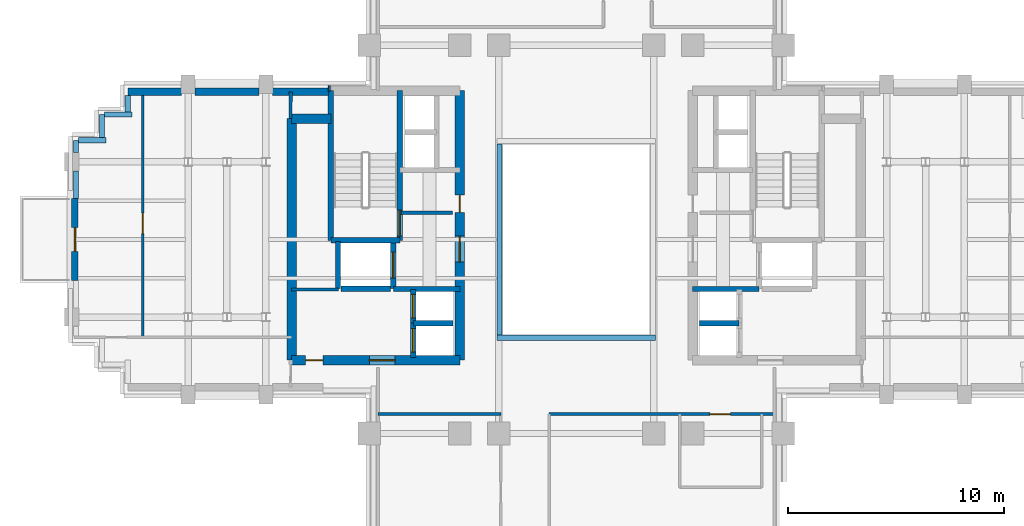
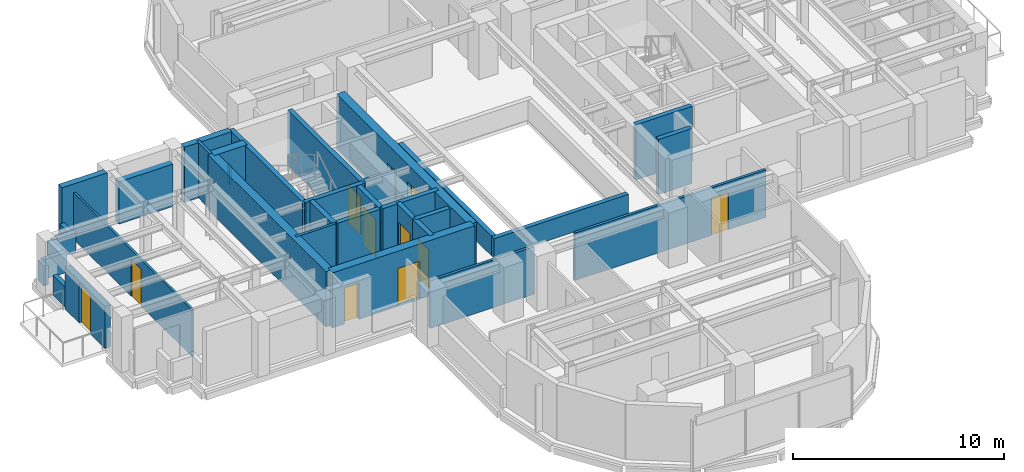
# One storey, part 7 of 13: 35 walls, 11 doors, 11 openings.
"""IFC4 building model written with IfcOpenShell, lengths in metres."""

from ifc_helpers import new_model, si_unit, direction, frame, frame_2d, origin, place, context, subcontext, project, spatial, rectangle, extrude, source, transform, mapped, material, layer, layer_set, type_object, element, fill, save


model = new_model("IFC4")

# Units and contexts
model_context = context("Model", 3, precision=1e-05, world=origin(), true_north=direction((0.0, 1.0)))
body_context = subcontext(model_context, "Body", "Model", "MODEL_VIEW")
ifc_project = project(units=[si_unit("LENGTHUNIT", "METRE"), si_unit("AREAUNIT", "SQUARE_METRE"), si_unit("VOLUMEUNIT", "CUBIC_METRE"), si_unit("PLANEANGLEUNIT", "RADIAN"), si_unit("MASSUNIT", "GRAM", prefix="KILO")], contexts=[model_context])

# Site, building, storey
site_placement = place(None, origin())
site = spatial("IfcSite", under=ifc_project, at=site_placement, CompositionType="ELEMENT")
building_placement = place(site_placement, origin())
building = spatial("IfcBuilding", under=site, at=building_placement, Name="Keilestroom Media Tower", CompositionType="ELEMENT")
storey_placement = place(building_placement, frame((0.0, 0.0, 107.39990234375)))
storey = spatial("IfcBuildingStorey", under=building, at=storey_placement, Name="L28", CompositionType="ELEMENT", Elevation=107.39990234375)

# Wall, opening, door
ifc_material_1 = material(Name="Precast concrete C40/50", Category="concrete")
ifc_layer_1 = layer(ifc_material_1, 0.300048828125)
ifc_layer_set_1 = layer_set([ifc_layer_1], Name="Precast concrete C40/50")
wall_type_1 = type_object("IfcWallType", Name="Exterior-Masonry-Spandrel-Wall-300", PredefinedType="SOLIDWALL", material=ifc_layer_set_1)
wall_1_placement = place(storey_placement, frame((-23.25, -1.89990234375, 0.0), z_axis=(0.0, 0.0, 1.0), x_axis=(0.0, 1.0, 0.0)))
wall_1 = element("IfcWall", 1, at=wall_1_placement, inside=storey, type_object=wall_type_1, Name="L28 Terrace Threshold Wall L28-W", PredefinedType="SOLIDWALL", context=body_context, shape_type="SweptSolid", body=[
    extrude(rectangle(XDim=3.7998046875, YDim=0.300048828125, at=frame_2d((1.89990234375, 0.0))), origin(), (0.0, 0.0, 1.0), 2.4501953125),
])
opening_1_placement = place(wall_1_placement, frame((1.35009765625, 0.0, 0.0)))
opening_1 = element("IfcOpeningElement", 2, at=opening_1_placement, cuts=wall_1, Name="Opening DE-02", PredefinedType="OPENING", context=body_context, shape_type="SweptSolid", body=[
    extrude(rectangle(XDim=1.10009765625, YDim=2.300048828125, at=frame_2d((0.550048828125, 1.14990234375))), frame((0.0, 0.16015625, 0.0), z_axis=(0.0, -1.0, 0.0), x_axis=(1.0, 0.0, 0.0)), (0.0, 0.0, 1.0), 0.320068359375),
])
ifc_material_2 = material(Name="Thermally Broken Aluminium & Laminated Glass", Category="aluminium")
door_type_1 = type_object("IfcDoorType", Name="Exterior-Entrance-And-Terrace-Door-DE-02", OperationType="NOTDEFINED", PredefinedType="DOOR", material=ifc_material_2)
shared_shape_1 = source(origin(), body_context, "Body", "SweptSolid", [
    extrude(rectangle(XDim=1.10009765625, YDim=2.300048828125, at=frame_2d((0.550048828125, 1.14990234375))), frame((0.0, 0.02490234375, 0.0), z_axis=(0.0, -1.0, 0.0), x_axis=(1.0, 0.0, 0.0)), (0.0, 0.0, 1.0), 0.050048828125),
])
door_1_placement = place(opening_1_placement, origin())
door_1 = element("IfcDoor", 3, at=door_1_placement, inside=storey, type_object=door_type_1, Name="L28 Terrace Access Door DE-02 L28-W", OperationType="SINGLE_SWING_LEFT", OverallHeight=2.300048828125, OverallWidth=1.10009765625, PredefinedType="DOOR", context=body_context, shape_type="MappedRepresentation", body=[
    mapped(shared_shape_1, transform((0.0, 0.0, 0.0), x_axis=(1.0, 0.0, 0.0), y_axis=(0.0, 1.0, 0.0), z_axis=(0.0, 0.0, 1.0), scale=1.0)),
])
fill(opening_1, door_1)

# Walls
ifc_layer_2 = layer(ifc_material_1, 0.340087890625)
ifc_layer_set_2 = layer_set([ifc_layer_2], Name="Precast concrete C40/50")
wall_type_2 = type_object("IfcWallType", Name="Exterior-Masonry-Spandrel-Wall-340", PredefinedType="SOLIDWALL", material=ifc_layer_set_2)
wall_2_placement = place(storey_placement, frame((-20.800048828125, 6.85009765625, 0.0), z_axis=(0.0, 0.0, 1.0), x_axis=(1.0, 0.0, 0.0)))
element("IfcWall", 4, at=wall_2_placement, inside=storey, type_object=wall_type_2, Name="L28 Flank Masonry Wall EWL-L28-NW-1", PredefinedType="SOLIDWALL", context=body_context, shape_type="SweptSolid", body=[
    extrude(rectangle(XDim=2.483154296875, YDim=0.340087890625, at=frame_2d((1.24169921875, 0.0))), origin(), (0.0, 0.0, 1.0), 3.2001953125),
])
wall_3_placement = place(storey_placement, frame((-17.68310546875, 6.85009765625, 0.0), z_axis=(0.0, 0.0, 1.0), x_axis=(1.0, 0.0, 0.0)))
element("IfcWall", 5, at=wall_3_placement, inside=storey, type_object=wall_type_2, Name="L28 Flank Masonry Wall EWL-L28-NW-2", PredefinedType="SOLIDWALL", context=body_context, shape_type="SweptSolid", body=[
    extrude(rectangle(XDim=2.966064453125, YDim=0.340087890625, at=frame_2d((1.48291015625, 0.0))), origin(), (0.0, 0.0, 1.0), 2.4501953125),
])
wall_4_placement = place(storey_placement, frame((-14.0830078125, 6.85009765625, 0.0), z_axis=(0.0, 0.0, 1.0), x_axis=(1.0, 0.0, 0.0)))
element("IfcWall", 6, at=wall_4_placement, inside=storey, type_object=wall_type_2, Name="L28 Flank Masonry Wall EWL-L28-NW-3", PredefinedType="SOLIDWALL", context=body_context, shape_type="SweptSolid", body=[
    extrude(rectangle(XDim=2.5849609375, YDim=0.340087890625, at=frame_2d((1.29248046875, 0.0))), origin(), (0.0, 0.0, 1.0), 3.2001953125),
])

# Wall, opening, door
ifc_material_3 = material(Name="Gypsum Plasterboard & Steel Stud", Category="steel")
ifc_layer_3 = layer(ifc_material_3, 0.1201171875)
ifc_layer_set_3 = layer_set([ifc_layer_3], Name="Gypsum Plasterboard & Steel Stud")
wall_type_3 = type_object("IfcWallType", Name="Interior-Partition-Wall-120", PredefinedType="PARTITIONING", material=ifc_layer_set_3)
wall_5_placement = place(storey_placement, frame((-20.10009765625, -4.530029296875, 0.0), z_axis=(0.0, 0.0, 1.0), x_axis=(0.0, 1.0, 0.0)))
wall_5 = element("IfcWall", 7, at=wall_5_placement, inside=storey, type_object=wall_type_3, Name="L28 Interior Wall WP-L28-WA-VM", PredefinedType="PARTITIONING", context=body_context, shape_type="SweptSolid", body=[
    extrude(rectangle(XDim=11.380126953125, YDim=0.1201171875, at=frame_2d((5.68994140625, 0.0))), origin(), (0.0, 0.0, 1.0), 2.7001953125),
])
opening_2_placement = place(wall_5_placement, frame((4.800048828125, 0.0, 0.0)))
opening_2 = element("IfcOpeningElement", 8, at=opening_2_placement, cuts=wall_5, Name="Opening DI-03", PredefinedType="OPENING", context=body_context, shape_type="SweptSolid", body=[
    extrude(rectangle(XDim=0.949951171875, YDim=2.14990234375, at=frame_2d((0.47509765625, 1.074951171875))), frame((0.0, 0.070068359375, 0.0), z_axis=(0.0, -1.0, 0.0), x_axis=(1.0, 0.0, 0.0)), (0.0, 0.0, 1.0), 0.14013671875),
])
ifc_material_4 = material(Name="Lacquered European Oak Leaf", Category="wood")
door_type_2 = type_object("IfcDoorType", Name="Interior-Room-And-Suite-Door-DI-03", OperationType="NOTDEFINED", PredefinedType="DOOR", material=ifc_material_4)
shared_shape_2 = source(origin(), body_context, "Body", "SweptSolid", [
    extrude(rectangle(XDim=0.949951171875, YDim=2.14990234375, at=frame_2d((0.47509765625, 1.074951171875))), frame((0.0, 0.02490234375, 0.0), z_axis=(0.0, -1.0, 0.0), x_axis=(1.0, 0.0, 0.0)), (0.0, 0.0, 1.0), 0.050048828125),
])
door_2_placement = place(opening_2_placement, origin())
door_2 = element("IfcDoor", 9, at=door_2_placement, inside=storey, type_object=door_type_2, Name="L28 Interior Door DI-L28-DWA-RN2", OperationType="SINGLE_SWING_RIGHT", OverallHeight=2.14990234375, OverallWidth=0.949951171875, PredefinedType="DOOR", context=body_context, shape_type="MappedRepresentation", body=[
    mapped(shared_shape_2, transform((0.0, 0.0, 0.0), x_axis=(1.0, 0.0, 0.0), y_axis=(0.0, 1.0, 0.0), z_axis=(0.0, 0.0, 1.0), scale=1.0)),
])
fill(opening_2, door_2)

# Walls
ifc_layer_4 = layer(ifc_material_3, 0.14990234375)
ifc_layer_set_4 = layer_set([ifc_layer_4], Name="Gypsum Plasterboard & Steel Stud")
wall_type_4 = type_object("IfcWallType", Name="Interior-Partition-Wall-150", PredefinedType="PARTITIONING", material=ifc_layer_set_4)
wall_6_placement = place(storey_placement, frame((-8.139892578125, 1.239990234375, 0.0), z_axis=(0.0, 0.0, 1.0), x_axis=(1.0, 0.0, 0.0)))
element("IfcWall", 10, at=wall_6_placement, inside=storey, type_object=wall_type_4, Name="L28 Interior Wall WP-L28-FFW-TOP", PredefinedType="PARTITIONING", context=body_context, shape_type="SweptSolid", body=[
    extrude(rectangle(XDim=2.389892578125, YDim=0.14990234375, at=frame_2d((1.19482421875, 0.0))), origin(), (0.0, 0.0, 1.0), 2.300048828125),
])
wall_7_placement = place(storey_placement, frame((-13.199951171875, -2.320068359375, 0.0), z_axis=(0.0, 0.0, 1.0), x_axis=(1.0, 0.0, 0.0)))
element("IfcWall", 11, at=wall_7_placement, inside=storey, type_object=wall_type_4, Name="L28 Interior Wall WP-L28-RECLW-N", PredefinedType="PARTITIONING", context=body_context, shape_type="SweptSolid", body=[
    extrude(rectangle(XDim=2.179931640625, YDim=0.14990234375, at=frame_2d((1.08984375, 0.0))), origin(), (0.0, 0.0, 1.0), 3.2001953125),
])
wall_8_placement = place(storey_placement, frame((-9.199951171875, -8.10009765625, 0.0), z_axis=(0.0, 0.0, 1.0), x_axis=(1.0, 0.0, 0.0)))
element("IfcWall", 12, at=wall_8_placement, inside=storey, type_object=wall_type_4, Name="L28 Interior Wall WP-L28-SL-BASE-W", PredefinedType="PARTITIONING", context=body_context, shape_type="SweptSolid", body=[
    extrude(rectangle(XDim=5.699951171875, YDim=0.14990234375, at=frame_2d((2.85009765625, 0.0))), origin(), (0.0, 0.0, 1.0), 2.75),
])

# Wall, opening, door
wall_9_placement = place(storey_placement, frame((-1.260009765625, -8.10009765625, 0.0), z_axis=(0.0, 0.0, 1.0), x_axis=(1.0, 0.0, 0.0)))
wall_9 = element("IfcWall", 13, at=wall_9_placement, inside=storey, type_object=wall_type_4, Name="L28 Interior Wall WP-L28-SL-BASE-E", PredefinedType="PARTITIONING", context=body_context, shape_type="SweptSolid", body=[
    extrude(rectangle(XDim=10.4599609375, YDim=0.14990234375, at=frame_2d((5.22998046875, 0.0))), origin(), (0.0, 0.0, 1.0), 2.75),
])
opening_3_placement = place(wall_9_placement, frame((7.4599609375, 0.0, 0.0)))
opening_3 = element("IfcOpeningElement", 14, at=opening_3_placement, cuts=wall_9, Name="Opening DI-03", PredefinedType="OPENING", context=body_context, shape_type="SweptSolid", body=[
    extrude(rectangle(XDim=0.949951171875, YDim=2.14990234375, at=frame_2d((0.47509765625, 1.074951171875))), frame((0.0, 0.0849609375, 0.0), z_axis=(0.0, -1.0, 0.0), x_axis=(1.0, 0.0, 0.0)), (0.0, 0.0, 1.0), 0.169921875),
])
door_3_placement = place(opening_3_placement, origin())
door_3 = element("IfcDoor", 15, at=door_3_placement, inside=storey, type_object=door_type_2, Name="L28 Interior Door DI-L28-DSL-WC", OperationType="SINGLE_SWING_RIGHT", OverallHeight=2.14990234375, OverallWidth=0.949951171875, PredefinedType="DOOR", context=body_context, shape_type="MappedRepresentation", body=[
    mapped(shared_shape_2, transform((0.0, 0.0, 0.0), x_axis=(1.0, 0.0, 0.0), y_axis=(0.0, 1.0, 0.0), z_axis=(0.0, 0.0, 1.0), scale=1.0)),
])
fill(opening_3, door_3)

# Walls
wall_10_placement = place(storey_placement, frame((-13.260009765625, 5.60009765625, 0.0), z_axis=(0.0, 0.0, 1.0), x_axis=(0.016013571389, 0.999871774545, 0.0)))
element("IfcWall", 16, at=wall_10_placement, inside=storey, type_object=wall_type_4, Name="L28 Interior Wall WP-L28-WA-ENTN", PredefinedType="PARTITIONING", context=body_context, shape_type="SweptSolid", body=[
    extrude(rectangle(XDim=1.250244140625, YDim=0.14990234375, at=frame_2d((0.625, 0.0))), origin(), (0.0, 0.0, 1.0), 3.2001953125),
])
ifc_material_5 = material(Name="Concrete C55/67", Category="concrete")
ifc_layer_5 = layer(ifc_material_5, 0.449951171875)
ifc_layer_set_5 = layer_set([ifc_layer_5], Name="Concrete C55/67")
wall_type_5 = type_object("IfcWallType", Name="Reinforced-Concrete-Core-Shear-Wall-450", PredefinedType="SHEAR", material=ifc_layer_set_5)
wall_11_placement = place(storey_placement, frame((-13.199951171875, -5.60009765625, 0.0), z_axis=(0.0, 0.0, 1.0), x_axis=(0.0, 1.0, 0.0)))
element("IfcWall", 17, at=wall_11_placement, inside=storey, type_object=wall_type_5, Name="L28 Core Shear Wall WL-L28-CORE-W-OUT", PredefinedType="SHEAR", context=body_context, shape_type="SweptSolid", body=[
    extrude(rectangle(XDim=11.2001953125, YDim=0.449951171875, at=frame_2d((5.60009765625, 0.0))), origin(), (0.0, 0.0, 1.0), 3.2001953125),
])

# Wall, openings, doors
wall_12_placement = place(storey_placement, frame((-5.39990234375, -5.60009765625, 0.0), z_axis=(0.0, 0.0, 1.0), x_axis=(0.0, 1.0, 0.0)))
wall_12 = element("IfcWall", 18, at=wall_12_placement, inside=storey, type_object=wall_type_5, Name="L28 Core Shear Wall WL-L28-CORE-W-IN", PredefinedType="SHEAR", context=body_context, shape_type="SweptSolid", body=[
    extrude(rectangle(XDim=12.5, YDim=0.449951171875, at=frame_2d((6.25, 0.0))), origin(), (0.0, 0.0, 1.0), 3.2001953125),
])
opening_4_placement = place(wall_12_placement, frame((4.550048828125, 0.0, 0.0)))
opening_4 = element("IfcOpeningElement", 19, at=opening_4_placement, cuts=wall_12, Name="Opening DI-02", PredefinedType="OPENING", context=body_context, shape_type="SweptSolid", body=[
    extrude(rectangle(XDim=1.199951171875, YDim=2.199951171875, at=frame_2d((0.60009765625, 1.10009765625))), frame((0.0, 0.23486328125, 0.0), z_axis=(0.0, -1.0, 0.0), x_axis=(1.0, 0.0, 0.0)), (0.0, 0.0, 1.0), 0.469970703125),
])
opening_5_placement = place(wall_12_placement, frame((6.860107421875, 0.0, 0.0)))
opening_5 = element("IfcOpeningElement", 20, at=opening_5_placement, cuts=wall_12, Name="Opening DI-06", PredefinedType="OPENING", context=body_context, shape_type="SweptSolid", body=[
    extrude(rectangle(XDim=0.800048828125, YDim=2.10009765625, at=frame_2d((0.39990234375, 1.050048828125))), frame((0.0, 0.23486328125, 0.0), z_axis=(0.0, -1.0, 0.0), x_axis=(1.0, 0.0, 0.0)), (0.0, 0.0, 1.0), 0.469970703125),
])
ifc_material_6 = material(Name="Powder-Coated Steel Fire Leaf", Category="steel")
door_type_3 = type_object("IfcDoorType", Name="Interior-Compartment-Fire-Door-DI-02", OperationType="NOTDEFINED", PredefinedType="DOOR", material=ifc_material_6)
shared_shape_3 = source(origin(), body_context, "Body", "SweptSolid", [
    extrude(rectangle(XDim=1.199951171875, YDim=2.199951171875, at=frame_2d((0.60009765625, 1.10009765625))), frame((0.0, 0.02490234375, 0.0), z_axis=(0.0, -1.0, 0.0), x_axis=(1.0, 0.0, 0.0)), (0.0, 0.0, 1.0), 0.050048828125),
])
door_4_placement = place(opening_4_placement, origin())
door_4 = element("IfcDoor", 21, at=door_4_placement, inside=storey, type_object=door_type_3, Name="L28 W Firefighting Lobby Door", OperationType="SINGLE_SWING_RIGHT", OverallHeight=2.199951171875, OverallWidth=1.199951171875, PredefinedType="DOOR", context=body_context, shape_type="MappedRepresentation", body=[
    mapped(shared_shape_3, transform((0.0, 0.0, 0.0), x_axis=(1.0, 0.0, 0.0), y_axis=(0.0, 1.0, 0.0), z_axis=(0.0, 0.0, 1.0), scale=1.0)),
])
fill(opening_4, door_4)
ifc_material_7 = material(Name="Powder-Coated Steel Service Leaf", Category="steel")
door_type_4 = type_object("IfcDoorType", Name="Interior-Riser-Access-Door-DI-06", OperationType="NOTDEFINED", PredefinedType="DOOR", material=ifc_material_7)
shared_shape_4 = source(origin(), body_context, "Body", "SweptSolid", [
    extrude(rectangle(XDim=0.800048828125, YDim=2.10009765625, at=frame_2d((0.39990234375, 1.050048828125))), frame((0.0, 0.02490234375, 0.0), z_axis=(0.0, -1.0, 0.0), x_axis=(1.0, 0.0, 0.0)), (0.0, 0.0, 1.0), 0.050048828125),
])
door_5_placement = place(opening_5_placement, origin())
door_5 = element("IfcDoor", 22, at=door_5_placement, inside=storey, type_object=door_type_4, Name="L28 West Core Switchroom Door", OperationType="SINGLE_SWING_LEFT", OverallHeight=2.10009765625, OverallWidth=0.800048828125, PredefinedType="DOOR", context=body_context, shape_type="MappedRepresentation", body=[
    mapped(shared_shape_4, transform((0.0, 0.0, 0.0), x_axis=(1.0, 0.0, 0.0), y_axis=(0.0, 1.0, 0.0), z_axis=(0.0, 0.0, 1.0), scale=1.0)),
])
fill(opening_5, door_5)

# Wall
wall_13_placement = place(storey_placement, frame((-13.199951171875, 5.60009765625, 0.0), z_axis=(0.0, 0.0, 1.0), x_axis=(1.0, 0.0, 0.0)))
element("IfcWall", 23, at=wall_13_placement, inside=storey, type_object=wall_type_5, Name="L28 Core Shear Wall WL-L28-CNW-N", PredefinedType="SHEAR", context=body_context, shape_type="SweptSolid", body=[
    extrude(rectangle(XDim=1.81884765625, YDim=0.449951171875, at=frame_2d((0.909423828125, 0.0))), origin(), (0.0, 0.0, 1.0), 3.2001953125),
])

# Wall, openings, doors
wall_14_placement = place(storey_placement, frame((-13.199951171875, -5.60009765625, 0.0), z_axis=(0.0, 0.0, 1.0), x_axis=(1.0, 0.0, 0.0)))
wall_14 = element("IfcWall", 24, at=wall_14_placement, inside=storey, type_object=wall_type_5, Name="L28 Core Shear Wall WL-L28-CORE-W-S", PredefinedType="SHEAR", context=body_context, shape_type="SweptSolid", body=[
    extrude(rectangle(XDim=7.800048828125, YDim=0.449951171875, at=frame_2d((3.89990234375, 0.0))), origin(), (0.0, 0.0, 1.0), 3.2001953125),
])
opening_6_placement = place(wall_14_placement, frame((3.60009765625, 0.0, 0.0)))
opening_6 = element("IfcOpeningElement", 25, at=opening_6_placement, cuts=wall_14, Name="Opening DI-02", PredefinedType="OPENING", context=body_context, shape_type="SweptSolid", body=[
    extrude(rectangle(XDim=1.199951171875, YDim=2.199951171875, at=frame_2d((0.60009765625, 1.10009765625))), frame((0.0, 0.23486328125, 0.0), z_axis=(0.0, -1.0, 0.0), x_axis=(1.0, 0.0, 0.0)), (0.0, 0.0, 1.0), 0.469970703125),
])
opening_7_placement = place(wall_14_placement, frame((0.64990234375, 0.0, 0.0)))
opening_7 = element("IfcOpeningElement", 26, at=opening_7_placement, cuts=wall_14, Name="Opening DI-06", PredefinedType="OPENING", context=body_context, shape_type="SweptSolid", body=[
    extrude(rectangle(XDim=0.800048828125, YDim=2.10009765625, at=frame_2d((0.39990234375, 1.050048828125))), frame((0.0, 0.23486328125, 0.0), z_axis=(0.0, -1.0, 0.0), x_axis=(1.0, 0.0, 0.0)), (0.0, 0.0, 1.0), 0.469970703125),
])
door_6_placement = place(opening_6_placement, origin())
door_6 = element("IfcDoor", 27, at=door_6_placement, inside=storey, type_object=door_type_3, Name="L28 W Passenger Lift Lobby Door", OperationType="SINGLE_SWING_LEFT", OverallHeight=2.199951171875, OverallWidth=1.199951171875, PredefinedType="DOOR", context=body_context, shape_type="MappedRepresentation", body=[
    mapped(shared_shape_3, transform((0.0, 0.0, 0.0), x_axis=(1.0, 0.0, 0.0), y_axis=(0.0, 1.0, 0.0), z_axis=(0.0, 0.0, 1.0), scale=1.0)),
])
fill(opening_6, door_6)
door_7_placement = place(opening_7_placement, origin())
door_7 = element("IfcDoor", 28, at=door_7_placement, inside=storey, type_object=door_type_4, Name="L28 Reclaimed West Core Room Door", OperationType="SINGLE_SWING_LEFT", OverallHeight=2.10009765625, OverallWidth=0.800048828125, PredefinedType="DOOR", context=body_context, shape_type="MappedRepresentation", body=[
    mapped(shared_shape_4, transform((0.0, 0.0, 0.0), x_axis=(1.0, 0.0, 0.0), y_axis=(0.0, 1.0, 0.0), z_axis=(0.0, 0.0, 1.0), scale=1.0)),
])
fill(opening_7, door_7)

# Wall
ifc_material_8 = material(Name="Concrete C50/60", Category="concrete")
ifc_layer_6 = layer(ifc_material_8, 0.25)
ifc_layer_set_6 = layer_set([ifc_layer_6], Name="Concrete C50/60")
wall_type_6 = type_object("IfcWallType", Name="Reinforced-Concrete-Shaft-Wall-250", PredefinedType="SOLIDWALL", material=ifc_layer_set_6)
wall_15_placement = place(storey_placement, frame((-8.47998046875, -2.300048828125, 0.0), z_axis=(0.0, 0.0, 1.0), x_axis=(1.0, 0.0, 0.0)))
element("IfcWall", 29, at=wall_15_placement, inside=storey, type_object=wall_type_6, Name="L28 Core Shear Wall WL-L28-CORE-W-FFS", PredefinedType="SOLIDWALL", context=body_context, shape_type="SweptSolid", body=[
    extrude(rectangle(XDim=3.080078125, YDim=0.25, at=frame_2d((1.5400390625, 0.0))), origin(), (0.0, 0.0, 1.0), 3.2001953125),
])

# Wall, opening, door
wall_16_placement = place(storey_placement, frame((-8.178955078125, -0.041015625, 0.0), z_axis=(0.0, 0.0, 1.0), x_axis=(0.0, 1.0, 0.0)))
wall_16 = element("IfcWall", 30, at=wall_16_placement, inside=storey, type_object=wall_type_6, Name="L28 Core Shear Wall WL-L28-STW-W-NEAR", PredefinedType="SOLIDWALL", context=body_context, shape_type="SweptSolid", body=[
    extrude(rectangle(XDim=6.94091796875, YDim=0.25, at=frame_2d((3.470458984375, 0.0))), origin(), (0.0, 0.0, 1.0), 3.2001953125),
])
opening_8_placement = place(wall_16_placement, frame((0.199951171875, 0.0, 0.0)))
opening_8 = element("IfcOpeningElement", 31, at=opening_8_placement, cuts=wall_16, Name="Opening DI-01S", PredefinedType="OPENING", context=body_context, shape_type="SweptSolid", body=[
    extrude(rectangle(XDim=1.199951171875, YDim=2.199951171875, at=frame_2d((0.60009765625, 1.10009765625))), frame((0.0, 0.135009765625, 0.0), z_axis=(0.0, -1.0, 0.0), x_axis=(1.0, 0.0, 0.0)), (0.0, 0.0, 1.0), 0.27001953125),
])
door_type_5 = type_object("IfcDoorType", Name="Interior-Stair-And-Core-Fire-Door-DI-01", OperationType="NOTDEFINED", PredefinedType="DOOR", material=ifc_material_6)
door_8_placement = place(opening_8_placement, origin())
door_8 = element("IfcDoor", 32, at=door_8_placement, inside=storey, type_object=door_type_5, Name="L28 Escape Stair ST-1 Fire Door", OperationType="SINGLE_SWING_LEFT", OverallHeight=2.199951171875, OverallWidth=1.199951171875, PredefinedType="DOOR", context=body_context, shape_type="MappedRepresentation", body=[
    mapped(shared_shape_3, transform((0.0, 0.0, 0.0), x_axis=(1.0, 0.0, 0.0), y_axis=(0.0, 1.0, 0.0), z_axis=(0.0, 0.0, 1.0), scale=1.0)),
])
fill(opening_8, door_8)

# Walls
wall_17_placement = place(storey_placement, frame((-11.381103515625, -0.041015625, 0.0), z_axis=(0.0, 0.0, 1.0), x_axis=(0.0, 1.0, 0.0)))
element("IfcWall", 33, at=wall_17_placement, inside=storey, type_object=wall_type_6, Name="L28 Core Shear Wall WL-L28-STW-W-FAR", PredefinedType="SOLIDWALL", context=body_context, shape_type="SweptSolid", body=[
    extrude(rectangle(XDim=6.94091796875, YDim=0.25, at=frame_2d((3.470458984375, 0.0))), origin(), (0.0, 0.0, 1.0), 3.2001953125),
])
wall_18_placement = place(storey_placement, frame((-11.381103515625, -0.041015625, 0.0), z_axis=(0.0, 0.0, 1.0), x_axis=(1.0, 0.0, 0.0)))
element("IfcWall", 34, at=wall_18_placement, inside=storey, type_object=wall_type_6, Name="L28 Core Shear Wall WL-L28-STW-W-S", PredefinedType="SOLIDWALL", context=body_context, shape_type="SweptSolid", body=[
    extrude(rectangle(XDim=3.2021484375, YDim=0.25, at=frame_2d((1.60107421875, 0.0))), origin(), (0.0, 0.0, 1.0), 3.2001953125),
])
wall_19_placement = place(storey_placement, frame((5.39990234375, -2.300048828125, 0.0), z_axis=(0.0, 0.0, 1.0), x_axis=(1.0, 0.0, 0.0)))
element("IfcWall", 35, at=wall_19_placement, inside=storey, type_object=wall_type_6, Name="L28 Core Shear Wall WL-L28-CORE-E-FFS", PredefinedType="SOLIDWALL", context=body_context, shape_type="SweptSolid", body=[
    extrude(rectangle(XDim=3.080078125, YDim=0.25, at=frame_2d((1.5400390625, 0.0))), origin(), (0.0, 0.0, 1.0), 3.2001953125),
])
wall_20_placement = place(storey_placement, frame((-11.050048828125, -2.280029296875, 0.0), z_axis=(0.0, 0.0, 1.0), x_axis=(0.0, 1.0, 0.0)))
element("IfcWall", 36, at=wall_20_placement, inside=storey, type_object=wall_type_6, Name="L28 Core Shear Wall WL-L28-LSH-FFL-1-W", PredefinedType="SOLIDWALL", context=body_context, shape_type="SweptSolid", body=[
    extrude(rectangle(XDim=2.179931640625, YDim=0.25, at=frame_2d((1.08984375, 0.0))), origin(), (0.0, 0.0, 1.0), 3.2001953125),
])

# Wall, opening, door
wall_21_placement = place(storey_placement, frame((-8.47998046875, -2.280029296875, 0.0), z_axis=(0.0, 0.0, 1.0), x_axis=(0.0, 1.0, 0.0)))
wall_21 = element("IfcWall", 37, at=wall_21_placement, inside=storey, type_object=wall_type_6, Name="L28 Core Shear Wall WL-L28-LSH-FFL-1-E", PredefinedType="SOLIDWALL", context=body_context, shape_type="SweptSolid", body=[
    extrude(rectangle(XDim=2.179931640625, YDim=0.25, at=frame_2d((1.08984375, 0.0))), origin(), (0.0, 0.0, 1.0), 3.2001953125),
])
opening_9_placement = place(wall_21_placement, frame((0.489990234375, 0.0, 0.0)))
opening_9 = element("IfcOpeningElement", 38, at=opening_9_placement, cuts=wall_21, Name="Opening LD-02", PredefinedType="OPENING", context=body_context, shape_type="SweptSolid", body=[
    extrude(rectangle(XDim=1.199951171875, YDim=2.199951171875, at=frame_2d((0.60009765625, 1.10009765625))), frame((0.0, 0.135009765625, 0.0), z_axis=(0.0, -1.0, 0.0), x_axis=(1.0, 0.0, 0.0)), (0.0, 0.0, 1.0), 0.27001953125),
])
ifc_material_9 = material(Name="Brushed Stainless Steel Sliding Leaf", Category="steel")
door_type_6 = type_object("IfcDoorType", Name="Lift-Landing-Sliding-Door-LD-02", OperationType="SLIDING_TO_RIGHT", PredefinedType="DOOR", material=ifc_material_9)
door_9_placement = place(opening_9_placement, origin())
door_9 = element("IfcDoor", 39, at=door_9_placement, inside=storey, type_object=door_type_6, Name="L28 Lift FFL-1 Landing Sliding Door", OperationType="SLIDING_TO_RIGHT", OverallHeight=2.199951171875, OverallWidth=1.199951171875, PredefinedType="DOOR", context=body_context, shape_type="MappedRepresentation", body=[
    mapped(shared_shape_3, transform((0.0, 0.0, 0.0), x_axis=(1.0, 0.0, 0.0), y_axis=(0.0, 1.0, 0.0), z_axis=(0.0, 0.0, 1.0), scale=1.0)),
])
fill(opening_9, door_9)

# Wall
wall_22_placement = place(storey_placement, frame((-10.9208984375, -2.280029296875, 0.0), z_axis=(0.0, 0.0, 1.0), x_axis=(1.0, 0.0, 0.0)))
element("IfcWall", 40, at=wall_22_placement, inside=storey, type_object=wall_type_6, Name="L28 Core Shear Wall WL-L28-LSH-FFL-1-S", PredefinedType="SOLIDWALL", context=body_context, shape_type="SweptSolid", body=[
    extrude(rectangle(XDim=2.31201171875, YDim=0.25, at=frame_2d((1.156005859375, 0.0))), origin(), (0.0, 0.0, 1.0), 3.2001953125),
])

# Wall, opening, door
wall_23_placement = place(storey_placement, frame((-7.56005859375, -5.47998046875, 0.0), z_axis=(0.0, 0.0, 1.0), x_axis=(0.0, 1.0, 0.0)))
wall_23 = element("IfcWall", 41, at=wall_23_placement, inside=storey, type_object=wall_type_6, Name="L28 Core Shear Wall WL-L28-LSH-PL-M1-W", PredefinedType="SOLIDWALL", context=body_context, shape_type="SweptSolid", body=[
    extrude(rectangle(XDim=1.60009765625, YDim=0.25, at=frame_2d((0.800048828125, 0.0))), origin(), (0.0, 0.0, 1.0), 3.2001953125),
])
opening_10_placement = place(wall_23_placement, frame((0.25, 0.0, 0.0)))
opening_10 = element("IfcOpeningElement", 42, at=opening_10_placement, cuts=wall_23, Name="Opening LD-01", PredefinedType="OPENING", context=body_context, shape_type="SweptSolid", body=[
    extrude(rectangle(XDim=1.10009765625, YDim=2.199951171875, at=frame_2d((0.550048828125, 1.10009765625))), frame((0.0, 0.135009765625, 0.0), z_axis=(0.0, -1.0, 0.0), x_axis=(1.0, 0.0, 0.0)), (0.0, 0.0, 1.0), 0.27001953125),
])
door_type_7 = type_object("IfcDoorType", Name="Lift-Landing-Sliding-Door-LD-01", OperationType="SLIDING_TO_LEFT", PredefinedType="DOOR", material=ifc_material_9)
shared_shape_5 = source(origin(), body_context, "Body", "SweptSolid", [
    extrude(rectangle(XDim=1.10009765625, YDim=2.199951171875, at=frame_2d((0.550048828125, 1.10009765625))), frame((0.0, 0.02490234375, 0.0), z_axis=(0.0, -1.0, 0.0), x_axis=(1.0, 0.0, 0.0)), (0.0, 0.0, 1.0), 0.050048828125),
])
door_10_placement = place(opening_10_placement, origin())
door_10 = element("IfcDoor", 43, at=door_10_placement, inside=storey, type_object=door_type_7, Name="L28 Lift PL-M1 Landing Sliding Door", OperationType="SLIDING_TO_LEFT", OverallHeight=2.199951171875, OverallWidth=1.10009765625, PredefinedType="DOOR", context=body_context, shape_type="MappedRepresentation", body=[
    mapped(shared_shape_5, transform((0.0, 0.0, 0.0), x_axis=(1.0, 0.0, 0.0), y_axis=(0.0, 1.0, 0.0), z_axis=(0.0, 0.0, 1.0), scale=1.0)),
])
fill(opening_10, door_10)

# Wall
wall_24_placement = place(storey_placement, frame((-7.56005859375, -3.8798828125, 0.0), z_axis=(0.0, 0.0, 1.0), x_axis=(1.0, 0.0, 0.0)))
element("IfcWall", 44, at=wall_24_placement, inside=storey, type_object=wall_type_6, Name="L28 Core Shear Wall WL-L28-LSH-PL-M1-N", PredefinedType="SOLIDWALL", context=body_context, shape_type="SweptSolid", body=[
    extrude(rectangle(XDim=1.840087890625, YDim=0.25, at=frame_2d((0.919921875, 0.0))), origin(), (0.0, 0.0, 1.0), 3.2001953125),
])

# Wall, opening, door
wall_25_placement = place(storey_placement, frame((-7.56005859375, -3.8798828125, 0.0), z_axis=(0.0, 0.0, 1.0), x_axis=(0.0, 1.0, 0.0)))
wall_25 = element("IfcWall", 45, at=wall_25_placement, inside=storey, type_object=wall_type_6, Name="L28 Core Shear Wall WL-L28-LSH-PL-M2-W", PredefinedType="SOLIDWALL", context=body_context, shape_type="SweptSolid", body=[
    extrude(rectangle(XDim=1.559814453125, YDim=0.25, at=frame_2d((0.77978515625, 0.0))), origin(), (0.0, 0.0, 1.0), 3.2001953125),
])
opening_11_placement = place(wall_25_placement, frame((0.22998046875, 0.0, 0.0)))
opening_11 = element("IfcOpeningElement", 46, at=opening_11_placement, cuts=wall_25, Name="Opening LD-01", PredefinedType="OPENING", context=body_context, shape_type="SweptSolid", body=[
    extrude(rectangle(XDim=1.10009765625, YDim=2.199951171875, at=frame_2d((0.550048828125, 1.10009765625))), frame((0.0, 0.135009765625, 0.0), z_axis=(0.0, -1.0, 0.0), x_axis=(1.0, 0.0, 0.0)), (0.0, 0.0, 1.0), 0.27001953125),
])
door_11_placement = place(opening_11_placement, origin())
door_11 = element("IfcDoor", 47, at=door_11_placement, inside=storey, type_object=door_type_7, Name="L28 Lift PL-M2 Landing Sliding Door", OperationType="SLIDING_TO_LEFT", OverallHeight=2.199951171875, OverallWidth=1.10009765625, PredefinedType="DOOR", context=body_context, shape_type="MappedRepresentation", body=[
    mapped(shared_shape_5, transform((0.0, 0.0, 0.0), x_axis=(1.0, 0.0, 0.0), y_axis=(0.0, 1.0, 0.0), z_axis=(0.0, 0.0, 1.0), scale=1.0)),
])
fill(opening_11, door_11)

# Walls
wall_26_placement = place(storey_placement, frame((5.719970703125, -3.8798828125, 0.0), z_axis=(0.0, 0.0, 1.0), x_axis=(1.0, 0.0, 0.0)))
element("IfcWall", 48, at=wall_26_placement, inside=storey, type_object=wall_type_6, Name="L28 Core Shear Wall WL-L28-LSH-PL-M3-N", PredefinedType="SOLIDWALL", context=body_context, shape_type="SweptSolid", body=[
    extrude(rectangle(XDim=1.840087890625, YDim=0.25, at=frame_2d((0.919921875, 0.0))), origin(), (0.0, 0.0, 1.0), 3.2001953125),
])
ifc_layer_7 = layer(ifc_material_1, 0.239990234375)
ifc_layer_set_7 = layer_set([ifc_layer_7], Name="Precast concrete C40/50")
wall_type_7 = type_object("IfcWallType", Name="Roof-And-Terrace-Parapet-Wall-240", PredefinedType="PARAPET", material=ifc_layer_set_7)
wall_27_placement = place(storey_placement, frame((-23.199951171875, 1.903076171875, 0.0), z_axis=(0.0, 0.0, 1.0), x_axis=(0.0, 1.0, 0.0)))
element("IfcWall", 49, at=wall_27_placement, inside=storey, type_object=wall_type_7, Name="L28 Perimeter Edge Parapet Wall 16", PredefinedType="PARAPET", context=body_context, shape_type="SweptSolid", body=[
    extrude(rectangle(XDim=1.26904296875, YDim=0.239990234375, at=frame_2d((0.634521484375, 0.0))), origin(), (0.0, 0.0, 1.0), 1.150146484375),
])
wall_28_placement = place(storey_placement, frame((-23.199951171875, 4.028076171875, 0.0), z_axis=(0.0, 0.0, 1.0), x_axis=(0.0, 1.0, 0.0)))
element("IfcWall", 50, at=wall_28_placement, inside=storey, type_object=wall_type_7, Name="L28 Perimeter Edge Parapet Wall 17", PredefinedType="PARAPET", context=body_context, shape_type="SweptSolid", body=[
    extrude(rectangle(XDim=0.572021484375, YDim=0.239990234375, at=frame_2d((0.2861328125, 0.0))), origin(), (0.0, 0.0, 1.0), 1.150146484375),
])
wall_29_placement = place(storey_placement, frame((-23.076904296875, 4.60009765625, 0.0), z_axis=(0.0, 0.0, 1.0), x_axis=(1.0, 0.0, 0.0)))
element("IfcWall", 51, at=wall_29_placement, inside=storey, type_object=wall_type_7, Name="L28 Perimeter Edge Parapet Wall 18", PredefinedType="PARAPET", context=body_context, shape_type="SweptSolid", body=[
    extrude(rectangle(XDim=1.27685546875, YDim=0.239990234375, at=frame_2d((0.638427734375, 0.0))), origin(), (0.0, 0.0, 1.0), 1.150146484375),
])
wall_30_placement = place(storey_placement, frame((-22.0, 4.722900390625, 0.0), z_axis=(0.0, 0.0, 1.0), x_axis=(0.0, 1.0, 0.0)))
element("IfcWall", 52, at=wall_30_placement, inside=storey, type_object=wall_type_7, Name="L28 Perimeter Edge Parapet Wall 19", PredefinedType="PARAPET", context=body_context, shape_type="SweptSolid", body=[
    extrude(rectangle(XDim=1.0771484375, YDim=0.239990234375, at=frame_2d((0.53857421875, 0.0))), origin(), (0.0, 0.0, 1.0), 1.150146484375),
])
wall_31_placement = place(storey_placement, frame((-21.876953125, 5.800048828125, 0.0), z_axis=(0.0, 0.0, 1.0), x_axis=(1.0, 0.0, 0.0)))
element("IfcWall", 53, at=wall_31_placement, inside=storey, type_object=wall_type_7, Name="L28 Perimeter Edge Parapet Wall 20", PredefinedType="PARAPET", context=body_context, shape_type="SweptSolid", body=[
    extrude(rectangle(XDim=1.27685546875, YDim=0.239990234375, at=frame_2d((0.638427734375, 0.0))), origin(), (0.0, 0.0, 1.0), 1.150146484375),
])
wall_32_placement = place(storey_placement, frame((-20.800048828125, 5.923095703125, 0.0), z_axis=(0.0, 0.0, 1.0), x_axis=(0.0, 1.0, 0.0)))
element("IfcWall", 54, at=wall_32_placement, inside=storey, type_object=wall_type_7, Name="L28 Perimeter Edge Parapet Wall 21", PredefinedType="PARAPET", context=body_context, shape_type="SweptSolid", body=[
    extrude(rectangle(XDim=0.75390625, YDim=0.239990234375, at=frame_2d((0.376953125, 0.0))), origin(), (0.0, 0.0, 1.0), 1.150146484375),
])
wall_33_placement = place(storey_placement, frame((-11.4951171875, 7.0, 0.0), z_axis=(0.0, 0.0, 1.0), x_axis=(1.0, 0.0, 0.0)))
element("IfcWall", 55, at=wall_33_placement, inside=storey, type_object=wall_type_7, Name="L28 Perimeter Edge Parapet Wall 22", PredefinedType="PARAPET", context=body_context, shape_type="SweptSolid", body=[
    extrude(rectangle(XDim=0.092041015625, YDim=0.239990234375, at=frame_2d((0.0458984375, 0.0))), origin(), (0.0, 0.0, 1.0), 1.150146484375),
])
wall_34_placement = place(storey_placement, frame((-3.679931640625, -4.56005859375, 0.0), z_axis=(0.0, 0.0, 1.0), x_axis=(1.0, 0.0, 0.0)))
element("IfcWall", 56, at=wall_34_placement, inside=storey, type_object=wall_type_7, Name="L28 Central Atrium Guard Parapet S", PredefinedType="PARAPET", context=body_context, shape_type="SweptSolid", body=[
    extrude(rectangle(XDim=7.35986328125, YDim=0.239990234375, at=frame_2d((3.679931640625, 0.0))), origin(), (0.0, 0.0, 1.0), 1.150146484375),
])
wall_35_placement = place(storey_placement, frame((-3.56005859375, -4.43505859375, 0.0), z_axis=(0.0, 0.0, 1.0), x_axis=(0.0, 1.0, 0.0)))
element("IfcWall", 57, at=wall_35_placement, inside=storey, type_object=wall_type_7, Name="L28 Central Atrium Guard Parapet W", PredefinedType="PARAPET", context=body_context, shape_type="SweptSolid", body=[
    extrude(rectangle(XDim=8.8701171875, YDim=0.239990234375, at=frame_2d((4.43505859375, 0.0))), origin(), (0.0, 0.0, 1.0), 1.150146484375),
])

save(model, "model.ifc")
